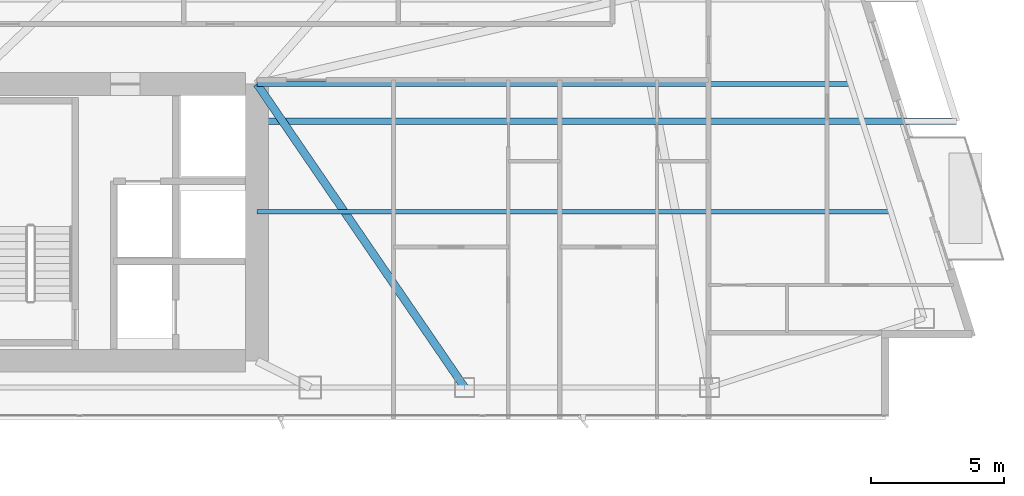
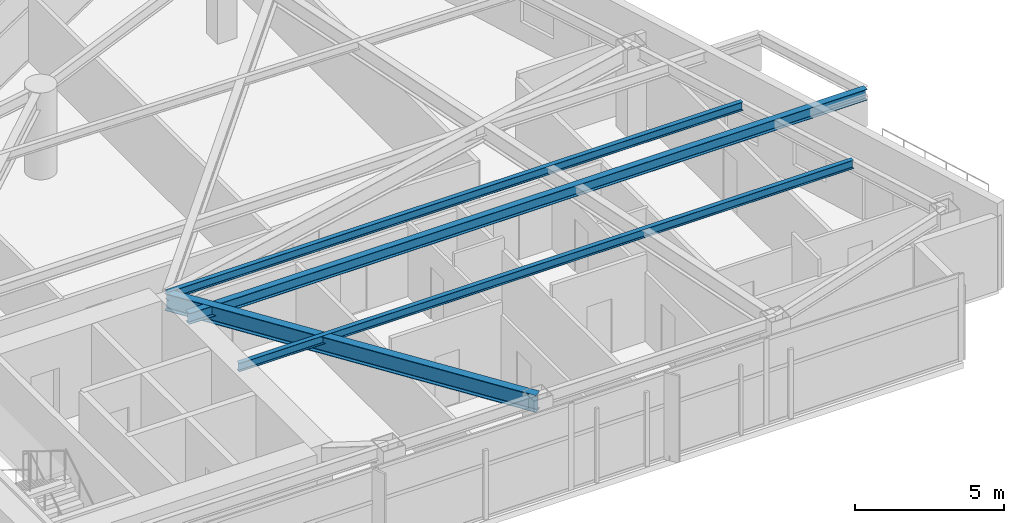
# One storey, part 13 of 29: 4 beams.
"""IFC4 building model written with IfcOpenShell, lengths in metres."""

from ifc_helpers import new_model, si_unit, direction, frame, origin, origin_2d, place, context, subcontext, project, spatial, i_section, extrude, material, material_profile, profile_set, type_object, element, save


model = new_model("IFC4")

# Units and contexts
model_context = context("Model", 3, precision=1e-05, world=origin(), true_north=direction((0.0, 1.0)))
body_context = subcontext(model_context, "Body", "Model", "MODEL_VIEW")
ifc_project = project(units=[si_unit("LENGTHUNIT", "METRE"), si_unit("AREAUNIT", "SQUARE_METRE"), si_unit("VOLUMEUNIT", "CUBIC_METRE"), si_unit("PLANEANGLEUNIT", "RADIAN"), si_unit("MASSUNIT", "GRAM", prefix="KILO")], contexts=[model_context])

# Site, building, storey
site_placement = place(None, origin())
site = spatial("IfcSite", under=ifc_project, at=site_placement, CompositionType="ELEMENT")
building_placement = place(site_placement, origin())
building = spatial("IfcBuilding", under=site, at=building_placement, Name="Calvorn Quay Hotel", CompositionType="ELEMENT")
storey_placement = place(building_placement, frame((0.0, 0.0, 124.0)))
storey = spatial("IfcBuildingStorey", under=building, at=storey_placement, Name="L30", CompositionType="ELEMENT", Elevation=124.0)

# Beams
ifc_material_1 = material(Name="Steel Q355B", Category="steel")
ifc_material_profile_1 = material_profile(ifc_material_1, i_section(OverallWidth=0.25, OverallDepth=0.449951171875, WebThickness=0.011962890625, FlangeThickness=0.01611328125, FilletRadius=0.01611328125, at=origin_2d()), Name="HN450x250x12x16")
ifc_profile_set_1 = profile_set([ifc_material_profile_1], Name="Steel Q355B")
beam_type_1 = type_object("IfcBeamType", Name="BM-CANT-BALC", PredefinedType="BEAM", material=ifc_profile_set_1)
beam_1_placement = place(storey_placement, frame((32.39990234375, 13.60009765625, 3.31494140625), z_axis=(1.0, 0.0, 0.0), x_axis=(0.0, 1.0, 0.0)))
element("IfcBeam", 1, at=beam_1_placement, inside=storey, type_object=beam_type_1, Name="Cantilever Balcony Beam BCB-L31-1A", PredefinedType="BEAM", context=body_context, shape_type="SweptSolid", body=[
    extrude(i_section(OverallWidth=0.25, OverallDepth=0.449951171875, WebThickness=0.011962890625, FlangeThickness=0.01611328125, FilletRadius=0.01611328125, at=origin_2d()), origin(), (0.0, 0.0, 1.0), 26.26904296875),
])
ifc_material_2 = material(Name="Steel Q390GJC", Category="steel")
ifc_material_profile_2 = material_profile(ifc_material_2, i_section(OverallWidth=0.300048828125, OverallDepth=0.699951171875, WebThickness=0.012939453125, FlangeThickness=0.02392578125, FilletRadius=0.02392578125, at=origin_2d()), Name="HN700x300x13x24")
ifc_profile_set_2 = profile_set([ifc_material_profile_2], Name="Steel Q390GJC")
beam_type_2 = type_object("IfcBeamType", Name="BM-GIRD-MAIN", PredefinedType="BEAM", material=ifc_profile_set_2)
beam_2_placement = place(storey_placement, frame((40.199951171875, 3.60009765625, 3.18994140625), z_axis=(-0.564689618177, 0.825303359452, 0.0), x_axis=(-0.825303359452, -0.564689618177, 0.0)))
element("IfcBeam", 2, at=beam_2_placement, inside=storey, type_object=beam_type_2, Name="Beam BG-L30-E6", PredefinedType="BEAM", context=body_context, shape_type="SweptSolid", body=[
    extrude(i_section(OverallWidth=0.300048828125, OverallDepth=0.699951171875, WebThickness=0.012939453125, FlangeThickness=0.02392578125, FilletRadius=0.02392578125, at=origin_2d()), origin(), (0.0, 0.0, 1.0), 13.81298828125),
])
ifc_material_3 = material(Name="Steel Q355B", Category="steel")
ifc_material_profile_3 = material_profile(ifc_material_3, i_section(OverallWidth=0.175048828125, OverallDepth=0.35009765625, WebThickness=0.007080078125, FlangeThickness=0.010986328125, FilletRadius=0.013916015625, at=origin_2d()), Name="HN350x175x7x11")
ifc_profile_set_3 = profile_set([ifc_material_profile_3], Name="Steel Q355B")
beam_type_3 = type_object("IfcBeamType", Name="BM-JOIST-SEC", PredefinedType="JOIST", material=ifc_profile_set_3)
beam_3_placement = place(storey_placement, frame((32.39990234375, 10.199951171875, 3.364990234375), z_axis=(1.0, 0.0, 0.0), x_axis=(0.0, 1.0, 0.0)))
element("IfcBeam", 3, at=beam_3_placement, inside=storey, type_object=beam_type_3, Name="Beam BJ-L30-E1", PredefinedType="JOIST", context=body_context, shape_type="SweptSolid", body=[
    extrude(i_section(OverallWidth=0.175048828125, OverallDepth=0.35009765625, WebThickness=0.007080078125, FlangeThickness=0.010986328125, FilletRadius=0.013916015625, at=origin_2d()), origin(), (0.0, 0.0, 1.0), 23.801025390625),
])
beam_4_placement = place(storey_placement, frame((32.39990234375, 15.0, 3.364990234375), z_axis=(1.0, 0.0, 0.0), x_axis=(0.0, 1.0, 0.0)))
element("IfcBeam", 4, at=beam_4_placement, inside=storey, type_object=beam_type_3, Name="Beam BJ-L30-E2", PredefinedType="JOIST", context=body_context, shape_type="SweptSolid", body=[
    extrude(i_section(OverallWidth=0.175048828125, OverallDepth=0.35009765625, WebThickness=0.007080078125, FlangeThickness=0.010986328125, FilletRadius=0.013916015625, at=origin_2d()), origin(), (0.0, 0.0, 1.0), 22.2880859375),
])

save(model, "model.ifc")
